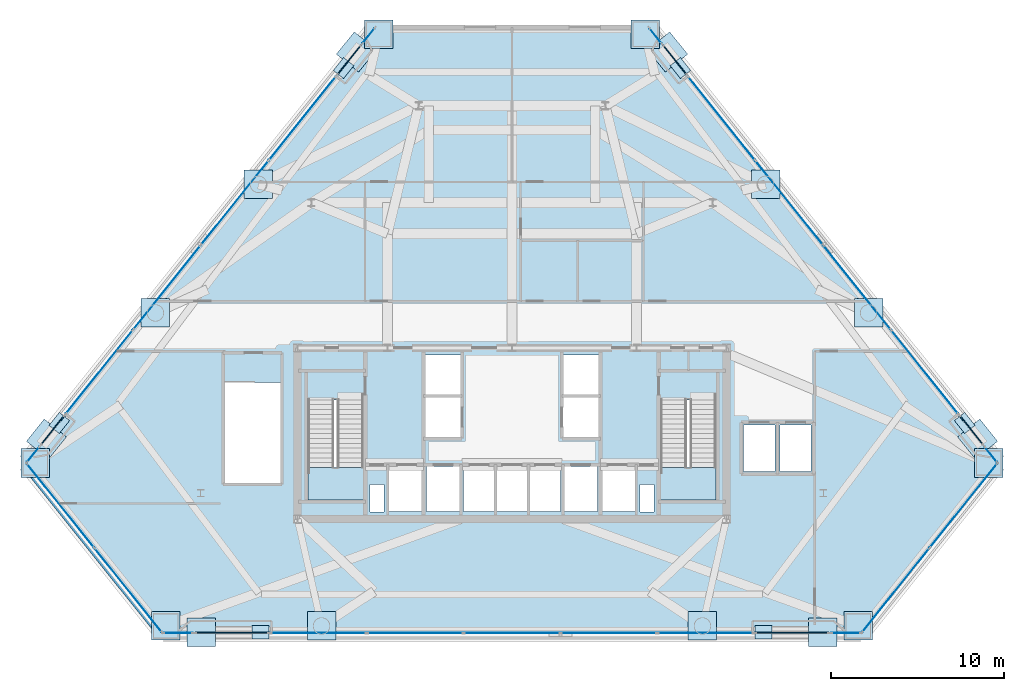
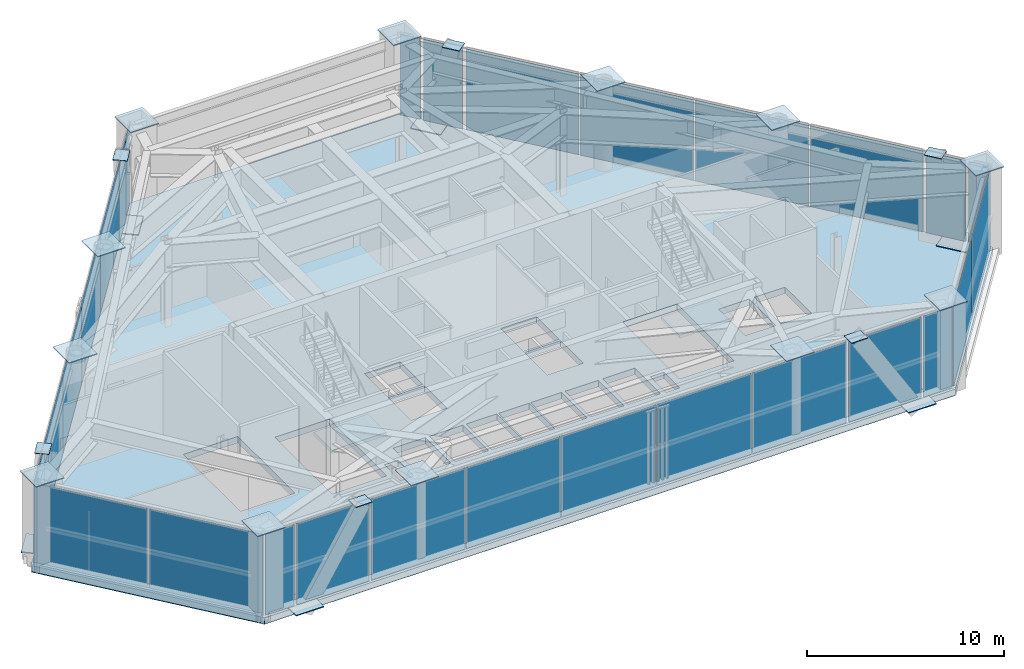
# One storey, part 7 of 13: 53 plates, 3 slabs, 1 wall, 19 elements without a shape of their own.
"""IFC4 building model written with IfcOpenShell, lengths in metres."""

import ifcopenshell
import ifcopenshell.guid

model = None  # the IFC model being written
_history = None  # IfcOwnerHistory: only IFC2X3 demands one
_inside = {}  # id of a spatial element -> (the spatial element, [elements in it])
_under = {}  # id of a project, library or spatial element -> (it, [spatial elements below it])
_declared = {}  # id of a project -> (the project, [libraries it declares])
_typed = {}  # id of a type object -> (the type object, [elements of that type])
_made_of = {}  # id of a material, layer set ... -> (it, [elements and type objects made of it])


def new_model(schema):
    """Start an empty IFC model of exactly this schema.

    Asked for "IFC4X3", IfcOpenShell would pick the latest addendum, in which some entities
    have other attributes; the version numbers below select the first issue.
    IFC2X3 requires an IfcOwnerHistory on every rooted entity: one is made here for all.
    """
    global model, _history
    if schema == "IFC4X3":
        model = ifcopenshell.file(schema_version=(4, 3, 0, 0))
    else:
        model = ifcopenshell.file(schema=schema)
    _inside.clear()
    _under.clear()
    _declared.clear()
    _typed.clear()
    _made_of.clear()
    _history = None
    if model.schema == "IFC2X3":
        org = make("IfcOrganization", Name="unknown")
        user = make(
            "IfcPersonAndOrganization",
            ThePerson=make("IfcPerson", FamilyName="unknown"),
            TheOrganization=org,
        )
        app = make(
            "IfcApplication",
            ApplicationDeveloper=org,
            Version="unknown",
            ApplicationFullName="unknown",
            ApplicationIdentifier="unknown",
        )
        _history = make(
            "IfcOwnerHistory",
            OwningUser=user,
            OwningApplication=app,
            ChangeAction="ADDED",
            CreationDate=0,
        )
    return model


def make(cls, **values):
    """One entity of the class cls with the attributes given. An attribute that is None is left unset."""
    return model.create_entity(
        cls, **{name: value for name, value in values.items() if value is not None}
    )


def rooted(cls, **values):
    """An entity with a GlobalId (a new one), such as an element, a storey or a relation."""
    return make(cls, GlobalId=ifcopenshell.guid.new(), OwnerHistory=_history, **values)


def si_unit(unit_type, name, prefix=None):
    """IfcSIUnit, for example si_unit("LENGTHUNIT", "METRE", prefix="MILLI")."""
    return make("IfcSIUnit", UnitType=unit_type, Prefix=prefix, Name=name)


def assignment(units):
    """IfcUnitAssignment: the units of a project."""
    return None if units is None else make("IfcUnitAssignment", Units=units)


def point(xyz):
    """IfcCartesianPoint."""
    return None if xyz is None else make("IfcCartesianPoint", Coordinates=xyz)


def direction(xyz):
    """IfcDirection."""
    return None if xyz is None else make("IfcDirection", DirectionRatios=xyz)


def frame(location, z_axis=None, x_axis=None):
    """IfcAxis2Placement3D, a coordinate frame: its origin and axes. An axis left out is left unset."""
    return make(
        "IfcAxis2Placement3D",
        Location=point(location),
        Axis=direction(z_axis),
        RefDirection=direction(x_axis),
    )


def frame_2d(location, x_axis=None):
    """IfcAxis2Placement2D, a coordinate frame in the plane: its origin and x axis."""
    return make(
        "IfcAxis2Placement2D", Location=point(location), RefDirection=direction(x_axis)
    )


def origin():
    """The frame at (0, 0, 0) with its axes left unset."""
    return frame((0.0, 0.0, 0.0))


def origin_2d():
    """The frame at (0, 0) in the plane with its x axis left unset."""
    return frame_2d((0.0, 0.0))


def place(relative_to, where):
    """IfcLocalPlacement: puts the frame where relative to a parent placement (None: the world)."""
    return make(
        "IfcLocalPlacement", PlacementRelTo=relative_to, RelativePlacement=where
    )


def context(
    kind, dimensions, precision=None, world=None, true_north=None, identifier=None
):
    """IfcGeometricRepresentationContext, for example the 3D "Model" context."""
    return make(
        "IfcGeometricRepresentationContext",
        ContextIdentifier=identifier,
        ContextType=kind,
        CoordinateSpaceDimension=dimensions,
        Precision=precision,
        WorldCoordinateSystem=world,
        TrueNorth=true_north,
    )


def subcontext(parent, identifier, kind, view, scale=None):
    """IfcGeometricRepresentationSubContext, for example "Body" below "Model"."""
    return make(
        "IfcGeometricRepresentationSubContext",
        ContextIdentifier=identifier,
        ContextType=kind,
        ParentContext=parent,
        TargetScale=scale,
        TargetView=view,
    )


def project(units=None, contexts=None):
    """IfcProject with its units and contexts."""
    return rooted(
        "IfcProject",
        Name="project",
        RepresentationContexts=contexts,
        UnitsInContext=assignment(units),
    )


def spatial(cls, under=None, at=None, **own):
    """A site, building, storey or space (cls), placed at a placement, below another one or the project."""
    s = rooted(cls, ObjectPlacement=at, **own)
    if under is not None:
        _under.setdefault(under.id(), (under, []))[1].append(s)
    return s


def polyline(points):
    """IfcPolyline through the points."""
    return make("IfcPolyline", Points=[point(p) for p in points])


def profile(cls, at=None, kind="AREA", **sizes):
    """A parametric profile (cls). Its sizes go by their IFC names, for example OverallWidth=200.0."""
    return make(cls, ProfileType=kind, Position=at, **sizes)


def rectangle(**sizes):
    """IfcRectangleProfileDef."""
    return profile("IfcRectangleProfileDef", **sizes)


def outline(outer, holes=None, kind="AREA"):
    """IfcArbitraryClosedProfileDef: a profile drawn as a closed curve; with holes, ...WithVoids."""
    if holes is None:
        return make("IfcArbitraryClosedProfileDef", ProfileType=kind, OuterCurve=outer)
    return make(
        "IfcArbitraryProfileDefWithVoids",
        ProfileType=kind,
        OuterCurve=outer,
        InnerCurves=holes,
    )


def extrude(swept, where, along, depth):
    """IfcExtrudedAreaSolid: the profile swept, set in the frame where, extruded along a direction by depth."""
    return make(
        "IfcExtrudedAreaSolid",
        SweptArea=swept,
        Position=where,
        ExtrudedDirection=direction(along),
        Depth=depth,
    )


def shape(context_of_items, identifier, shape_type, items):
    """IfcShapeRepresentation: the items that make up one representation, for example the "Body"."""
    return make(
        "IfcShapeRepresentation",
        ContextOfItems=context_of_items,
        RepresentationIdentifier=identifier,
        RepresentationType=shape_type,
        Items=items,
    )


def source(mapping_origin, context_of_items, identifier, shape_type, items):
    """IfcRepresentationMap: a shape defined once, which mapped items show again and again."""
    return make(
        "IfcRepresentationMap",
        MappingOrigin=mapping_origin,
        MappedRepresentation=shape(context_of_items, identifier, shape_type, items),
    )


def transform(
    local_origin,
    x_axis=None,
    y_axis=None,
    z_axis=None,
    scale=None,
    scale2=None,
    scale3=None,
    uniform=True,
):
    """IfcCartesianTransformationOperator3D, or its non-uniform kind. x_axis, y_axis, z_axis: its Axis1, 2, 3."""
    if uniform:
        return make(
            "IfcCartesianTransformationOperator3D",
            Axis1=direction(x_axis),
            Axis2=direction(y_axis),
            LocalOrigin=point(local_origin),
            Scale=scale,
            Axis3=direction(z_axis),
        )
    return make(
        "IfcCartesianTransformationOperator3DnonUniform",
        Axis1=direction(x_axis),
        Axis2=direction(y_axis),
        LocalOrigin=point(local_origin),
        Scale=scale,
        Axis3=direction(z_axis),
        Scale2=scale2,
        Scale3=scale3,
    )


def mapped(mapping_source, mapping_target):
    """IfcMappedItem: shows the shape of a source again, moved by a transform."""
    return make(
        "IfcMappedItem", MappingSource=mapping_source, MappingTarget=mapping_target
    )


def material(Name=None, Category=None):
    """IfcMaterial."""
    return make("IfcMaterial", Name=Name, Category=Category)


def layer(
    of_material, thickness, ventilated=None, Name=None, Category=None, Priority=None
):
    """IfcMaterialLayer: one layer of a wall or slab, of a material (None: an air gap)."""
    return make(
        "IfcMaterialLayer",
        Material=of_material,
        LayerThickness=thickness,
        IsVentilated=ventilated,
        Name=Name,
        Category=Category,
        Priority=Priority,
    )


def layer_set(layers, Name=None):
    """IfcMaterialLayerSet."""
    return make("IfcMaterialLayerSet", MaterialLayers=layers, LayerSetName=Name)


def made_of(thing, what):
    """Note that an element or type object is made of a material, layer set ...; save() writes the relation."""
    if what is not None:
        _made_of.setdefault(what.id(), (what, []))[1].append(thing)
    return thing


def type_object(cls, material=None, **own):
    """A type object (cls), such as IfcWallType, which elements share."""
    return made_of(rooted(cls, **own), material)


def type_shapes(of_type, sources):
    """Give a type object the sources (RepresentationMaps) that its elements show as mapped items."""
    of_type.RepresentationMaps = sources


def element(
    cls,
    number,
    at=None,
    inside=None,
    cuts=None,
    type_object=None,
    material=None,
    context=None,
    identifier="Body",
    shape_type=None,
    held_by="IfcProductDefinitionShape",
    body=None,
    shapes=None,
    **own,
):
    """One element of the class cls, such as IfcWall. Its Tag is "e" and its number.

    at: its placement. inside: the storey or other place that contains it. cuts: it is an
    opening in that element (IfcRelVoidsElement). A single representation is given by context,
    identifier, shape_type and body (its items); several are given by shapes. held_by: the class
    of the entity that holds the representations. save() writes the other relations.
    """
    e = rooted(cls, Tag="e%d" % number, ObjectPlacement=at, **own)
    if body is not None:
        shapes = [shape(context, identifier, shape_type, body)]
    if shapes is not None:
        e.Representation = make(held_by, Representations=shapes)
    if inside is not None:
        _inside.setdefault(inside.id(), (inside, []))[1].append(e)
    if cuts is not None:
        rooted(
            "IfcRelVoidsElement", RelatingBuildingElement=cuts, RelatedOpeningElement=e
        )
    if type_object is not None:
        _typed.setdefault(type_object.id(), (type_object, []))[1].append(e)
    return made_of(e, material)


def aggregate(whole, parts):
    """IfcRelAggregates: a whole, such as a stair, and the parts it consists of."""
    return rooted("IfcRelAggregates", RelatingObject=whole, RelatedObjects=parts)


def save(model, path):
    """Write the relations noted so far, then the file.

    IfcRelAggregates (storeys below a building ...), IfcRelContainedInSpatialStructure (elements
    in a storey), IfcRelDefinesByType, IfcRelAssociatesMaterial and IfcRelDeclares: one each for
    every whole, place, type object, material and project.
    """
    for whole, parts in _under.values():
        aggregate(whole, parts)
    for where, things in _inside.values():
        rooted(
            "IfcRelContainedInSpatialStructure",
            RelatedElements=things,
            RelatingStructure=where,
        )
    for kind, things in _typed.values():
        rooted("IfcRelDefinesByType", RelatedObjects=things, RelatingType=kind)
    for what, things in _made_of.values():
        rooted("IfcRelAssociatesMaterial", RelatedObjects=things, RelatingMaterial=what)
    for by, libraries in _declared.values():
        rooted("IfcRelDeclares", RelatingContext=by, RelatedDefinitions=libraries)
    model.write(path)


model = new_model("IFC4")

# Units and contexts
model_context = context("Model", 3, precision=1e-05, world=origin(), true_north=direction((0.0, 1.0)))
body_context = subcontext(model_context, "Body", "Model", "MODEL_VIEW")
ifc_project = project(units=[si_unit("LENGTHUNIT", "METRE"), si_unit("AREAUNIT", "SQUARE_METRE"), si_unit("VOLUMEUNIT", "CUBIC_METRE"), si_unit("PLANEANGLEUNIT", "RADIAN"), si_unit("MASSUNIT", "GRAM", prefix="KILO")], contexts=[model_context])

# Site, building, storey
site_placement = place(None, origin())
site = spatial("IfcSite", under=ifc_project, at=site_placement, CompositionType="ELEMENT")
building_placement = place(site_placement, origin())
building = spatial("IfcBuilding", under=site, at=building_placement, Name="Talgorran Terracotta Tower", CompositionType="ELEMENT")
storey_placement = place(building_placement, frame((0.0, 0.0, 18.89990234375)))
storey = spatial("IfcBuildingStorey", under=building, at=storey_placement, Name="L04", CompositionType="ELEMENT", Elevation=18.89990234375)

# Plates
ifc_material_1 = material(Name="Steel Grade 350 (350L0)", Category="steel")
ifc_layer_1 = layer(ifc_material_1, 0.0400390625, Name="PL_CAP_MN05")
ifc_layer_set_1 = layer_set([ifc_layer_1], Name="Steel Grade 350 (350L0)")
plate_type_1 = type_object("IfcPlateType", Name="PL_CAP_MN05", PredefinedType="USERDEFINED", material=ifc_layer_set_1)
for number, where, z_axis, x_axis, name in (
    (1, (-14.54052734375, -20.639892578125, 5.1201171875), (0.0, 0.0, 1.0), (1.0, 0.0, 0.0), "L04 Diagonal Frame End Cap SWF Top"),
    (2, (14.54052734375, -20.639892578125, 5.1201171875), (0.0, 0.0, 1.0), (-1.0, 0.0, 0.0), "L04 Diagonal Frame End Cap SEF Top"),
    (3, (26.177734375, -8.5419921875, 5.1201171875), (0.0, 0.0, 1.0), (-0.625106436011, 0.780539520881, 0.0), "L04 Diagonal Frame End Cap NEL Top"),
    (4, (9.740478515625, 11.98193359375, 5.1201171875), (0.0, 0.0, 1.0), (0.625106436011, -0.780539520881, 0.0), "L04 Diagonal Frame End Cap NEU Top"),
    (5, (-9.740478515625, 11.98193359375, 5.1201171875), (0.0, 0.0, 1.0), (-0.625106436011, -0.780539520881, 0.0), "L04 Diagonal Frame End Cap NWU Top"),
    (6, (-26.177734375, -8.5419921875, 5.1201171875), (0.0, 0.0, 1.0), (0.625106436011, 0.780539520881, 0.0), "L04 Diagonal Frame End Cap NWL Top"),
):
    element("IfcPlate", number, at=place(storey_placement, frame(where, z_axis=z_axis, x_axis=x_axis)), inside=storey, type_object=plate_type_1, Name=name, ObjectType="CAP PLATE", PredefinedType="USERDEFINED", context=body_context, shape_type="SweptSolid", body=[
        extrude(rectangle(XDim=0.9599609375, YDim=0.760009765625, at=origin_2d()), origin(), (0.0, 0.0, 1.0), 0.0400390625),
    ])
ifc_layer_2 = layer(ifc_material_1, 0.06005859375, Name="PL_NODE_MN01")
ifc_layer_set_2 = layer_set([ifc_layer_2], Name="Steel Grade 350 (350L0)")
plate_type_2 = type_object("IfcPlateType", Name="PL_NODE_MN01", PredefinedType="USERDEFINED", material=ifc_layer_set_2)
for number, where, z_axis, x_axis, name in (
    (7, (-27.56982421875, -10.85595703125, 5.385009765625), (0.0, 0.0, 1.0), (1.0, 0.0, 0.0), "L04 Mega-Column Cap Plate MC1"),
    (8, (-20.022216796875, -20.280029296875, 5.385009765625), (0.0, 0.0, 1.0), (1.0, 0.0, 0.0), "L04 Mega-Column Cap Plate MC2"),
    (9, (20.022216796875, -20.280029296875, 5.385009765625), (0.0, 0.0, 1.0), (1.0, 0.0, 0.0), "L04 Mega-Column Cap Plate MC3"),
    (10, (27.56982421875, -10.85595703125, 5.385009765625), (0.0, 0.0, 1.0), (1.0, 0.0, 0.0), "L04 Mega-Column Cap Plate MC4"),
    (11, (7.714111328125, 13.93603515625, 5.385009765625), (0.0, 0.0, 1.0), (1.0, 0.0, 0.0), "L04 Mega-Column Cap Plate MC5"),
    (12, (-7.714111328125, 13.93603515625, 5.385009765625), (0.0, 0.0, 1.0), (1.0, 0.0, 0.0), "L04 Mega-Column Cap Plate MC6"),
    (13, (-11.01220703125, -20.280029296875, 5.385009765625), (0.0, 0.0, 1.0), (1.0, 0.0, 0.0), "L04 Facet Column Cap Plate FC1"),
    (14, (11.01220703125, -20.280029296875, 5.385009765625), (0.0, 0.0, 1.0), (1.0, 0.0, 0.0), "L04 Facet Column Cap Plate FC2"),
    (15, (20.620361328125, -2.1787109375, 5.385009765625), (0.0, 0.0, 1.0), (1.0, 0.0, 0.0), "L04 Facet Column Cap Plate FC3"),
    (16, (14.663818359375, 5.2587890625, 5.385009765625), (0.0, 0.0, 1.0), (1.0, 0.0, 0.0), "L04 Facet Column Cap Plate FC4"),
    (17, (-14.663818359375, 5.2587890625, 5.385009765625), (0.0, 0.0, 1.0), (1.0, 0.0, 0.0), "L04 Facet Column Cap Plate FC5"),
    (18, (-20.620361328125, -2.1787109375, 5.385009765625), (0.0, 0.0, 1.0), (1.0, 0.0, 0.0), "L04 Facet Column Cap Plate FC6"),
    (19, (-17.9736328125, -20.639892578125, -0.02001953125), (0.0, 0.0, 1.0), (1.0, 0.0, 0.0), "L04 Diagonal Frame End Cap SWF Bot"),
    (20, (17.9736328125, -20.639892578125, -0.02001953125), (0.0, 0.0, 1.0), (-1.0, 0.0, 0.0), "L04 Diagonal Frame End Cap SEF Bot"),
    (21, (26.923095703125, -9.47265625, -0.02001953125), (0.0, 0.0, 1.0), (-0.625106436011, 0.780539520881, 0.0), "L04 Diagonal Frame End Cap NEL Bot"),
    (22, (8.9951171875, 12.91259765625, -0.02001953125), (0.0, 0.0, 1.0), (0.625106436011, -0.780539520881, 0.0), "L04 Diagonal Frame End Cap NEU Bot"),
    (23, (-8.9951171875, 12.91259765625, -0.02001953125), (0.0, 0.0, 1.0), (-0.625106436011, -0.780539520881, 0.0), "L04 Diagonal Frame End Cap NWU Bot"),
    (24, (-26.923095703125, -9.47265625, -0.02001953125), (0.0, 0.0, 1.0), (0.625106436011, 0.780539520881, 0.0), "L04 Diagonal Frame End Cap NWL Bot"),
):
    element("IfcPlate", number, at=place(storey_placement, frame(where, z_axis=z_axis, x_axis=x_axis)), inside=storey, type_object=plate_type_2, Name=name, ObjectType="NODE PLATE", PredefinedType="USERDEFINED", context=body_context, shape_type="SweptSolid", body=[
        extrude(rectangle(XDim=1.64990234375, YDim=1.64990234375, at=origin_2d()), origin(), (0.0, 0.0, 1.0), 0.06005859375),
    ])

# Stair, slab
ifc_material_2 = material(Name="Concrete C40/50", Category="concrete")
stair_type = type_object("IfcStairType", Name="ST_FIRE_SCISSOR", PredefinedType="HALF_TURN_STAIR", material=ifc_material_2)
stair_1_placement = place(storey_placement, origin())
stair_1 = element("IfcStair", 25, at=stair_1_placement, inside=storey, type_object=stair_type, Name="L04 West Protected Fire Stair ST-01", PredefinedType="HALF_TURN_STAIR")
ifc_layer_3 = layer(ifc_material_2, 0.199951171875, Name="SL_LANDING_200")
ifc_layer_set_3 = layer_set([ifc_layer_3], Name="Concrete C40/50")
slab_type_1 = type_object("IfcSlabType", Name="SL_LANDING_200", PredefinedType="LANDING", material=ifc_layer_set_3)
slab_1_placement = place(storey_placement, frame((0.0, 0.0, 2.5)))
slab_1 = element("IfcSlab", 26, at=slab_1_placement, type_object=slab_type_1, Name="ST-01 landing 1", PredefinedType="LANDING", context=body_context, shape_type="SweptSolid", body=[
    extrude(outline(polyline([(-11.800048828125, -11.1201171875), (-11.800048828125, -13.0), (-8.60009765625, -13.0), (-8.60009765625, -11.1201171875), (-11.800048828125, -11.1201171875)])), origin(), (0.0, 0.0, 1.0), 0.2001953125),
])
aggregate(stair_1, [slab_1])

stair_2_placement = place(storey_placement, origin())
stair_2 = element("IfcStair", 27, at=stair_2_placement, inside=storey, type_object=stair_type, Name="L04 East Protected Fire Stair ST-02", PredefinedType="HALF_TURN_STAIR")
slab_2_placement = place(storey_placement, frame((0.0, 0.0, 2.5)))
slab_2 = element("IfcSlab", 28, at=slab_2_placement, type_object=slab_type_1, Name="ST-02 landing 1", PredefinedType="LANDING", context=body_context, shape_type="SweptSolid", body=[
    extrude(outline(polyline([(8.60009765625, -11.1201171875), (8.60009765625, -13.0), (11.800048828125, -13.0), (11.800048828125, -11.1201171875), (8.60009765625, -11.1201171875)])), origin(), (0.0, 0.0, 1.0), 0.2001953125),
])
aggregate(stair_2, [slab_2])

# Slab
ifc_material_3 = material(Name="Concrete C50/60", Category="concrete")
ifc_layer_4 = layer(ifc_material_3, 0.39990234375, Name="SL_TRANS_400")
ifc_layer_set_4 = layer_set([ifc_layer_4], Name="Concrete C50/60")
slab_type_2 = type_object("IfcSlabType", Name="SL_TRANS_400", PredefinedType="FLOOR", material=ifc_layer_set_4)
slab_3_placement = place(storey_placement, frame((0.0, 0.0, -0.39990234375)))
element("IfcSlab", 29, at=slab_3_placement, inside=storey, type_object=slab_type_2, Name="Storey L04 Structural Floor Slab", PredefinedType="FLOOR", context=body_context, shape_type="SweptSolid", body=[
    extrude(outline(polyline([(-28.236083984375, -10.85595703125), (-20.27197265625, -20.800048828125), (20.27197265625, -20.800048828125), (28.236083984375, -10.85595703125), (7.964111328125, 14.4560546875), (-7.964111328125, 14.4560546875), (-28.236083984375, -10.85595703125)]), holes=[polyline([(-11.800048828125, -7.199951171875), (-11.800048828125, -13.0), (-8.60009765625, -13.0), (-8.60009765625, -7.199951171875), (-11.800048828125, -7.199951171875)]), polyline([(8.60009765625, -7.199951171875), (8.60009765625, -13.0), (11.800048828125, -13.0), (11.800048828125, -7.199951171875), (8.60009765625, -7.199951171875)]), polyline([(-16.60009765625, -6.199951171875), (-16.60009765625, -12.0), (-13.39990234375, -12.0), (-13.39990234375, -6.199951171875), (-16.60009765625, -6.199951171875)]), polyline([(-7.10009765625, -13.64990234375), (-5.199951171875, -13.64990234375), (-5.199951171875, -11.050048828125), (-7.10009765625, -11.050048828125), (-7.10009765625, -13.64990234375)]), polyline([(5.199951171875, -13.64990234375), (7.10009765625, -13.64990234375), (7.10009765625, -11.050048828125), (5.199951171875, -11.050048828125), (5.199951171875, -13.64990234375)]), polyline([(3.0, -13.64990234375), (4.949951171875, -13.64990234375), (4.949951171875, -11.050048828125), (3.0, -11.050048828125), (3.0, -13.64990234375)]), polyline([(-4.949951171875, -13.64990234375), (-3.0, -13.64990234375), (-3.0, -11.050048828125), (-4.949951171875, -11.050048828125), (-4.949951171875, -13.64990234375)]), polyline([(-5.050048828125, -9.35009765625), (-2.949951171875, -9.35009765625), (-2.949951171875, -7.050048828125), (-5.050048828125, -7.050048828125), (-5.050048828125, -9.35009765625)]), polyline([(-5.050048828125, -6.89990234375), (-2.949951171875, -6.89990234375), (-2.949951171875, -4.60009765625), (-5.050048828125, -4.60009765625), (-5.050048828125, -6.89990234375)]), polyline([(2.949951171875, -9.35009765625), (5.050048828125, -9.35009765625), (5.050048828125, -7.050048828125), (2.949951171875, -7.050048828125), (2.949951171875, -9.35009765625)]), polyline([(2.949951171875, -6.89990234375), (5.050048828125, -6.89990234375), (5.050048828125, -4.60009765625), (2.949951171875, -4.60009765625), (2.949951171875, -6.89990234375)]), polyline([(-2.800048828125, -13.64990234375), (-1.0, -13.64990234375), (-1.0, -11.050048828125), (-2.800048828125, -11.050048828125), (-2.800048828125, -13.64990234375)]), polyline([(-0.89990234375, -13.64990234375), (0.89990234375, -13.64990234375), (0.89990234375, -11.050048828125), (-0.89990234375, -11.050048828125), (-0.89990234375, -13.64990234375)]), polyline([(1.0, -13.64990234375), (2.800048828125, -13.64990234375), (2.800048828125, -11.050048828125), (1.0, -11.050048828125), (1.0, -13.64990234375)]), polyline([(13.39990234375, -11.35009765625), (15.199951171875, -11.35009765625), (15.199951171875, -8.64990234375), (13.39990234375, -8.64990234375), (13.39990234375, -11.35009765625)]), polyline([(15.5, -11.35009765625), (17.300048828125, -11.35009765625), (17.300048828125, -8.64990234375), (15.5, -8.64990234375), (15.5, -11.35009765625)]), polyline([(-8.199951171875, -13.699951171875), (-7.39990234375, -13.699951171875), (-7.39990234375, -12.10009765625), (-8.199951171875, -12.10009765625), (-8.199951171875, -13.699951171875)]), polyline([(7.39990234375, -13.699951171875), (8.199951171875, -13.699951171875), (8.199951171875, -12.10009765625), (7.39990234375, -12.10009765625), (7.39990234375, -13.699951171875)])]), origin(), (0.0, 0.0, 1.0), 0.39990234375),
])

# Curtain wall, plates
ifc_material_4 = material(Name="Terracotta and Low-E Glazing", Category="masonry")
ifc_layer_5 = layer(ifc_material_4, 0.219970703125, Name="CW_SYS1_PODIUM")
ifc_layer_set_5 = layer_set([ifc_layer_5], Name="Terracotta and Low-E Glazing")
curtain_wall_type = type_object("IfcCurtainWallType", Name="CW_SYS1_PODIUM", PredefinedType="NOTDEFINED", material=ifc_layer_set_5)
curtain_wall_1_placement = place(storey_placement, origin())
curtain_wall_1 = element("IfcCurtainWall", 30, at=curtain_wall_1_placement, inside=storey, type_object=curtain_wall_type, Name="CW-L04-F0", PredefinedType="NOTDEFINED")
ifc_material_5 = material(Name="Low-E Laminated Vision Glass", Category="glass")
ifc_layer_6 = layer(ifc_material_5, 0.028076171875, Name="PLT_VISION_28")
ifc_layer_set_6 = layer_set([ifc_layer_6], Name="Low-E Laminated Vision Glass")
plate_type_3 = type_object("IfcPlateType", Name="PLT_VISION_28", PredefinedType="CURTAIN_PANEL", material=ifc_layer_set_6)
shared_shape_1 = source(origin(), body_context, "Body", "SweptSolid", [
    extrude(rectangle(XDim=6.1806640625, YDim=0.028076171875, at=origin_2d()), origin(), (0.0, 0.0, 1.0), 5.0),
])
plate_1_placement = place(storey_placement, frame((-26.103515625, -13.32666015625, 0.0751953125), z_axis=(0.0, 0.0, 1.0), x_axis=(0.625116437056, -0.780531511293, 0.0)))
plate_1 = element("IfcPlate", 31, at=plate_1_placement, type_object=plate_type_3, Name="CW-L04-0 panel 1.1", PredefinedType="CURTAIN_PANEL", context=body_context, shape_type="MappedRepresentation", body=[
    mapped(shared_shape_1, transform((0.0, 0.0, 0.0), scale=1.0)),
])
plate_2_placement = place(storey_placement, frame((-22.193115234375, -18.20947265625, 0.0751953125), z_axis=(0.0, 0.0, 1.0), x_axis=(0.625116437056, -0.780531511293, 0.0)))
plate_2 = element("IfcPlate", 32, at=plate_2_placement, type_object=plate_type_3, Name="CW-L04-0 panel 2.1", PredefinedType="CURTAIN_PANEL", context=body_context, shape_type="MappedRepresentation", body=[
    mapped(shared_shape_1, transform((0.0, 0.0, 0.0), scale=1.0)),
])
aggregate(curtain_wall_1, [plate_1, plate_2])

curtain_wall_2_placement = place(storey_placement, origin())
curtain_wall_2 = element("IfcCurtainWall", 33, at=curtain_wall_2_placement, inside=storey, type_object=curtain_wall_type, Name="CW-L04-F2", PredefinedType="NOTDEFINED")
plate_3_placement = place(storey_placement, frame((22.193115234375, -18.20947265625, 0.0751953125), z_axis=(0.0, 0.0, 1.0), x_axis=(0.625116437056, 0.780531511293, 0.0)))
plate_3 = element("IfcPlate", 34, at=plate_3_placement, type_object=plate_type_3, Name="CW-L04-2 panel 1.1", PredefinedType="CURTAIN_PANEL", context=body_context, shape_type="MappedRepresentation", body=[
    mapped(shared_shape_1, transform((0.0, 0.0, 0.0), scale=1.0)),
])
plate_4_placement = place(storey_placement, frame((26.103515625, -13.32666015625, 0.0751953125), z_axis=(0.0, 0.0, 1.0), x_axis=(0.625116437056, 0.780531511293, 0.0)))
plate_4 = element("IfcPlate", 35, at=plate_4_placement, type_object=plate_type_3, Name="CW-L04-2 panel 2.1", PredefinedType="CURTAIN_PANEL", context=body_context, shape_type="MappedRepresentation", body=[
    mapped(shared_shape_1, transform((0.0, 0.0, 0.0), scale=1.0)),
])
aggregate(curtain_wall_2, [plate_3, plate_4])

# Curtain wall, plate
curtain_wall_3_placement = place(storey_placement, origin())
curtain_wall_3 = element("IfcCurtainWall", 36, at=curtain_wall_3_placement, inside=storey, type_object=curtain_wall_type, Name="CW-L04-F1", PredefinedType="NOTDEFINED")
shared_shape_2 = source(origin(), body_context, "Body", "SweptSolid", [
    extrude(rectangle(XDim=1.66552734375, YDim=0.028076171875, at=origin_2d()), origin(), (0.0, 0.0, 1.0), 5.0),
])
plate_5_placement = place(storey_placement, frame((-19.306640625, -20.679931640625, 0.0751953125), z_axis=(0.0, 0.0, 1.0), x_axis=(1.0, 0.0, 0.0)))
plate_5 = element("IfcPlate", 37, at=plate_5_placement, type_object=plate_type_3, Name="CW-L04-1 panel 1.1", PredefinedType="CURTAIN_PANEL", context=body_context, shape_type="MappedRepresentation", body=[
    mapped(shared_shape_2, transform((0.0, 0.0, 0.0), scale=1.0)),
])
aggregate(curtain_wall_3, [plate_5])

curtain_wall_4_placement = place(storey_placement, origin())
curtain_wall_4 = element("IfcCurtainWall", 38, at=curtain_wall_4_placement, inside=storey, type_object=curtain_wall_type, Name="CW-L04-F1E", PredefinedType="NOTDEFINED")
plate_6_placement = place(storey_placement, frame((19.306640625, -20.679931640625, 0.0751953125), z_axis=(0.0, 0.0, 1.0), x_axis=(1.0, 0.0, 0.0)))
plate_6 = element("IfcPlate", 39, at=plate_6_placement, type_object=plate_type_3, Name="CW-L04-1E panel 1.1", PredefinedType="CURTAIN_PANEL", context=body_context, shape_type="MappedRepresentation", body=[
    mapped(shared_shape_2, transform((0.0, 0.0, 0.0), scale=1.0)),
])
aggregate(curtain_wall_4, [plate_6])

curtain_wall_5_placement = place(storey_placement, origin())
curtain_wall_5 = element("IfcCurtainWall", 40, at=curtain_wall_5_placement, inside=storey, type_object=curtain_wall_type, Name="CW-L04-F1B", PredefinedType="NOTDEFINED")
ifc_material_6 = material(Name="Terracotta Insulated Spandrel", Category="masonry")
ifc_layer_7 = layer(ifc_material_6, 0.06494140625, Name="PLT_SPANDREL_TERRA")
ifc_layer_set_7 = layer_set([ifc_layer_7], Name="Terracotta Insulated Spandrel")
plate_type_4 = type_object("IfcPlateType", Name="PLT_SPANDREL_TERRA", PredefinedType="SHEET", material=ifc_layer_set_7)
shared_shape_3 = source(origin(), body_context, "Body", "SweptSolid", [
    extrude(rectangle(XDim=4.226806640625, YDim=0.06494140625, at=origin_2d()), origin(), (0.0, 0.0, 1.0), 5.0),
])
plate_7_placement = place(storey_placement, frame((-16.200439453125, -20.679931640625, 0.0751953125), z_axis=(0.0, 0.0, 1.0), x_axis=(1.0, 0.0, 0.0)))
plate_7 = element("IfcPlate", 41, at=plate_7_placement, type_object=plate_type_4, Name="CW-L04-1B panel 1.1", PredefinedType="CURTAIN_PANEL", context=body_context, shape_type="MappedRepresentation", body=[
    mapped(shared_shape_3, transform((0.0, 0.0, 0.0), scale=1.0)),
])
aggregate(curtain_wall_5, [plate_7])

curtain_wall_6_placement = place(storey_placement, origin())
curtain_wall_6 = element("IfcCurtainWall", 42, at=curtain_wall_6_placement, inside=storey, type_object=curtain_wall_type, Name="CW-L04-F1D", PredefinedType="NOTDEFINED")
plate_8_placement = place(storey_placement, frame((16.200439453125, -20.679931640625, 0.0751953125), z_axis=(0.0, 0.0, 1.0), x_axis=(1.0, 0.0, 0.0)))
plate_8 = element("IfcPlate", 43, at=plate_8_placement, type_object=plate_type_4, Name="CW-L04-1D panel 1.1", PredefinedType="CURTAIN_PANEL", context=body_context, shape_type="MappedRepresentation", body=[
    mapped(shared_shape_3, transform((0.0, 0.0, 0.0), scale=1.0)),
])
aggregate(curtain_wall_6, [plate_8])

# Curtain wall, plates
curtain_wall_7_placement = place(storey_placement, origin())
curtain_wall_7 = element("IfcCurtainWall", 44, at=curtain_wall_7_placement, inside=storey, type_object=curtain_wall_type, Name="CW-L04-F1C", PredefinedType="NOTDEFINED")
shared_shape_4 = source(origin(), body_context, "Body", "SweptSolid", [
    extrude(rectangle(XDim=5.48828125, YDim=0.028076171875, at=origin_2d()), origin(), (0.0, 0.0, 1.0), 5.0),
])
plate_9_placement = place(storey_placement, frame((-11.182861328125, -20.679931640625, 0.0751953125), z_axis=(0.0, 0.0, 1.0), x_axis=(1.0, 0.0, 0.0)))
plate_9 = element("IfcPlate", 45, at=plate_9_placement, type_object=plate_type_3, Name="CW-L04-1C panel 1.1", PredefinedType="CURTAIN_PANEL", context=body_context, shape_type="MappedRepresentation", body=[
    mapped(shared_shape_4, transform((0.0, 0.0, 0.0), scale=1.0)),
])
plate_10_placement = place(storey_placement, frame((11.182861328125, -20.679931640625, 0.0751953125), z_axis=(0.0, 0.0, 1.0), x_axis=(1.0, 0.0, 0.0)))
plate_10 = element("IfcPlate", 46, at=plate_10_placement, type_object=plate_type_3, Name="CW-L04-1C panel 5.1", PredefinedType="CURTAIN_PANEL", context=body_context, shape_type="MappedRepresentation", body=[
    mapped(shared_shape_4, transform((0.0, 0.0, 0.0), scale=1.0)),
])
shared_shape_5 = source(origin(), body_context, "Body", "SweptSolid", [
    extrude(rectangle(XDim=5.52587890625, YDim=0.028076171875, at=origin_2d()), origin(), (0.0, 0.0, 1.0), 5.0),
])
plate_11_placement = place(storey_placement, frame((-5.600830078125, -20.679931640625, 0.0751953125), z_axis=(0.0, 0.0, 1.0), x_axis=(1.0, 0.0, 0.0)))
plate_11 = element("IfcPlate", 47, at=plate_11_placement, type_object=plate_type_3, Name="CW-L04-1C panel 2.1", PredefinedType="CURTAIN_PANEL", context=body_context, shape_type="MappedRepresentation", body=[
    mapped(shared_shape_5, transform((0.0, 0.0, 0.0), scale=1.0)),
])
plate_12_placement = place(storey_placement, frame((0.0, -20.679931640625, 0.0751953125), z_axis=(0.0, 0.0, 1.0), x_axis=(1.0, 0.0, 0.0)))
plate_12 = element("IfcPlate", 48, at=plate_12_placement, type_object=plate_type_3, Name="CW-L04-1C panel 3.1", PredefinedType="CURTAIN_PANEL", context=body_context, shape_type="MappedRepresentation", body=[
    mapped(shared_shape_5, transform((0.0, 0.0, 0.0), scale=1.0)),
])
plate_13_placement = place(storey_placement, frame((5.600830078125, -20.679931640625, 0.0751953125), z_axis=(0.0, 0.0, 1.0), x_axis=(1.0, 0.0, 0.0)))
plate_13 = element("IfcPlate", 49, at=plate_13_placement, type_object=plate_type_3, Name="CW-L04-1C panel 4.1", PredefinedType="CURTAIN_PANEL", context=body_context, shape_type="MappedRepresentation", body=[
    mapped(shared_shape_5, transform((0.0, 0.0, 0.0), scale=1.0)),
])
aggregate(curtain_wall_7, [plate_9, plate_11, plate_12, plate_13, plate_10])

# Curtain wall, plate
curtain_wall_8_placement = place(storey_placement, origin())
curtain_wall_8 = element("IfcCurtainWall", 50, at=curtain_wall_8_placement, inside=storey, type_object=curtain_wall_type, Name="CW-L04-F3", PredefinedType="NOTDEFINED")
shared_shape_6 = source(origin(), body_context, "Body", "SweptSolid", [
    extrude(rectangle(XDim=1.12890625, YDim=0.028076171875, at=origin_2d()), origin(), (0.0, 0.0, 1.0), 5.0),
])
plate_14_placement = place(storey_placement, frame((27.6826171875, -10.35693359375, 0.0751953125), z_axis=(0.0, 0.0, 1.0), x_axis=(-0.625095479338, 0.780548295566, 0.0)))
plate_14 = element("IfcPlate", 51, at=plate_14_placement, type_object=plate_type_3, Name="CW-L04-3 panel 1.1", PredefinedType="CURTAIN_PANEL", context=body_context, shape_type="MappedRepresentation", body=[
    mapped(shared_shape_6, transform((0.0, 0.0, 0.0), scale=1.0)),
])
aggregate(curtain_wall_8, [plate_14])

curtain_wall_9_placement = place(storey_placement, origin())
curtain_wall_9 = element("IfcCurtainWall", 52, at=curtain_wall_9_placement, inside=storey, type_object=curtain_wall_type, Name="CW-L04-F5E", PredefinedType="NOTDEFINED")
plate_15_placement = place(storey_placement, frame((-27.6826171875, -10.35693359375, 0.0751953125), z_axis=(0.0, 0.0, 1.0), x_axis=(-0.625095479338, -0.780548295566, 0.0)))
plate_15 = element("IfcPlate", 53, at=plate_15_placement, type_object=plate_type_3, Name="CW-L04-5E panel 1.1", PredefinedType="CURTAIN_PANEL", context=body_context, shape_type="MappedRepresentation", body=[
    mapped(shared_shape_6, transform((0.0, 0.0, 0.0), scale=1.0)),
])
aggregate(curtain_wall_9, [plate_15])

curtain_wall_10_placement = place(storey_placement, origin())
curtain_wall_10 = element("IfcCurtainWall", 54, at=curtain_wall_10_placement, inside=storey, type_object=curtain_wall_type, Name="CW-L04-F3B", PredefinedType="NOTDEFINED")
shared_shape_7 = source(origin(), body_context, "Body", "SweptSolid", [
    extrude(rectangle(XDim=2.142822265625, YDim=0.06494140625, at=origin_2d()), origin(), (0.0, 0.0, 1.0), 5.0),
])
plate_16_placement = place(storey_placement, frame((26.56005859375, -8.955078125, 0.0751953125), z_axis=(0.0, 0.0, 1.0), x_axis=(-0.625104497936, 0.780541073013, 0.0)))
plate_16 = element("IfcPlate", 55, at=plate_16_placement, type_object=plate_type_4, Name="CW-L04-3B panel 1.1", PredefinedType="CURTAIN_PANEL", context=body_context, shape_type="MappedRepresentation", body=[
    mapped(shared_shape_7, transform((0.0, 0.0, 0.0), scale=1.0)),
])
aggregate(curtain_wall_10, [plate_16])

curtain_wall_11_placement = place(storey_placement, origin())
curtain_wall_11 = element("IfcCurtainWall", 56, at=curtain_wall_11_placement, inside=storey, type_object=curtain_wall_type, Name="CW-L04-F5D", PredefinedType="NOTDEFINED")
plate_17_placement = place(storey_placement, frame((-26.56005859375, -8.955078125, 0.0751953125), z_axis=(0.0, 0.0, 1.0), x_axis=(-0.625104497936, -0.780541073013, 0.0)))
plate_17 = element("IfcPlate", 57, at=plate_17_placement, type_object=plate_type_4, Name="CW-L04-5D panel 1.1", PredefinedType="CURTAIN_PANEL", context=body_context, shape_type="MappedRepresentation", body=[
    mapped(shared_shape_7, transform((0.0, 0.0, 0.0), scale=1.0)),
])
aggregate(curtain_wall_11, [plate_17])

# Curtain wall, plates
curtain_wall_12_placement = place(storey_placement, origin())
curtain_wall_12 = element("IfcCurtainWall", 58, at=curtain_wall_12_placement, inside=storey, type_object=curtain_wall_type, Name="CW-L04-F3C", PredefinedType="NOTDEFINED")
shared_shape_8 = source(origin(), body_context, "Body", "SweptSolid", [
    extrude(rectangle(XDim=6.16357421875, YDim=0.028076171875, at=origin_2d()), origin(), (0.0, 0.0, 1.0), 5.0),
])
plate_18_placement = place(storey_placement, frame((23.863525390625, -5.58837890625, 0.0751953125), z_axis=(0.0, 0.0, 1.0), x_axis=(-0.625115149329, 0.780532542614, 0.0)))
plate_18 = element("IfcPlate", 59, at=plate_18_placement, type_object=plate_type_3, Name="CW-L04-3C panel 1.1", PredefinedType="CURTAIN_PANEL", context=body_context, shape_type="MappedRepresentation", body=[
    mapped(shared_shape_8, transform((0.0, 0.0, 0.0), scale=1.0)),
])
plate_19_placement = place(storey_placement, frame((12.1171875, 9.078369140625, 0.0751953125), z_axis=(0.0, 0.0, 1.0), x_axis=(-0.625115149329, 0.780532542614, 0.0)))
plate_19 = element("IfcPlate", 60, at=plate_19_placement, type_object=plate_type_3, Name="CW-L04-3C panel 4.1", PredefinedType="CURTAIN_PANEL", context=body_context, shape_type="MappedRepresentation", body=[
    mapped(shared_shape_8, transform((0.0, 0.0, 0.0), scale=1.0)),
])

curtain_wall_13_placement = place(storey_placement, origin())
curtain_wall_13 = element("IfcCurtainWall", 61, at=curtain_wall_13_placement, inside=storey, type_object=curtain_wall_type, Name="CW-L04-F5C", PredefinedType="NOTDEFINED")
plate_20_placement = place(storey_placement, frame((-12.1171875, 9.078369140625, 0.0751953125), z_axis=(0.0, 0.0, 1.0), x_axis=(-0.625115149329, -0.780532542614, 0.0)))
plate_20 = element("IfcPlate", 62, at=plate_20_placement, type_object=plate_type_3, Name="CW-L04-5C panel 1.1", PredefinedType="CURTAIN_PANEL", context=body_context, shape_type="MappedRepresentation", body=[
    mapped(shared_shape_8, transform((0.0, 0.0, 0.0), scale=1.0)),
])
plate_21_placement = place(storey_placement, frame((-23.863525390625, -5.58837890625, 0.0751953125), z_axis=(0.0, 0.0, 1.0), x_axis=(-0.625115149329, -0.780532542614, 0.0)))
plate_21 = element("IfcPlate", 63, at=plate_21_placement, type_object=plate_type_3, Name="CW-L04-5C panel 4.1", PredefinedType="CURTAIN_PANEL", context=body_context, shape_type="MappedRepresentation", body=[
    mapped(shared_shape_8, transform((0.0, 0.0, 0.0), scale=1.0)),
])

# Plate
shared_shape_9 = source(origin(), body_context, "Body", "SweptSolid", [
    extrude(rectangle(XDim=6.201171875, YDim=0.028076171875, at=origin_2d()), origin(), (0.0, 0.0, 1.0), 5.0),
])
plate_22_placement = place(storey_placement, frame((19.951904296875, -0.704345703125, 0.0751953125), z_axis=(0.0, 0.0, 1.0), x_axis=(-0.625115149329, 0.780532542614, 0.0)))
plate_22 = element("IfcPlate", 64, at=plate_22_placement, type_object=plate_type_3, Name="CW-L04-3C panel 2.1", PredefinedType="CURTAIN_PANEL", context=body_context, shape_type="MappedRepresentation", body=[
    mapped(shared_shape_9, transform((0.0, 0.0, 0.0), scale=1.0)),
])

plate_23_placement = place(storey_placement, frame((16.02880859375, 4.1943359375, 0.0751953125), z_axis=(0.0, 0.0, 1.0), x_axis=(-0.625115149329, 0.780532542614, 0.0)))
plate_23 = element("IfcPlate", 65, at=plate_23_placement, type_object=plate_type_3, Name="CW-L04-3C panel 3.1", PredefinedType="CURTAIN_PANEL", context=body_context, shape_type="MappedRepresentation", body=[
    mapped(shared_shape_9, transform((0.0, 0.0, 0.0), scale=1.0)),
])

aggregate(curtain_wall_12, [plate_18, plate_22, plate_23, plate_19])

plate_24_placement = place(storey_placement, frame((-16.02880859375, 4.1943359375, 0.0751953125), z_axis=(0.0, 0.0, 1.0), x_axis=(-0.625115149329, -0.780532542614, 0.0)))
plate_24 = element("IfcPlate", 66, at=plate_24_placement, type_object=plate_type_3, Name="CW-L04-5C panel 2.1", PredefinedType="CURTAIN_PANEL", context=body_context, shape_type="MappedRepresentation", body=[
    mapped(shared_shape_9, transform((0.0, 0.0, 0.0), scale=1.0)),
])

plate_25_placement = place(storey_placement, frame((-19.951904296875, -0.704345703125, 0.0751953125), z_axis=(0.0, 0.0, 1.0), x_axis=(-0.625115149329, -0.780532542614, 0.0)))
plate_25 = element("IfcPlate", 67, at=plate_25_placement, type_object=plate_type_3, Name="CW-L04-5C panel 3.1", PredefinedType="CURTAIN_PANEL", context=body_context, shape_type="MappedRepresentation", body=[
    mapped(shared_shape_9, transform((0.0, 0.0, 0.0), scale=1.0)),
])

aggregate(curtain_wall_13, [plate_20, plate_24, plate_25, plate_21])

# Curtain wall, plate
curtain_wall_14_placement = place(storey_placement, origin())
curtain_wall_14 = element("IfcCurtainWall", 68, at=curtain_wall_14_placement, inside=storey, type_object=curtain_wall_type, Name="CW-L04-F3D", PredefinedType="NOTDEFINED")
shared_shape_10 = source(origin(), body_context, "Body", "SweptSolid", [
    extrude(rectangle(XDim=2.14306640625, YDim=0.06494140625, at=origin_2d()), origin(), (0.0, 0.0, 1.0), 5.0),
])
type_shapes(plate_type_4, [shared_shape_3, shared_shape_7, shared_shape_10])
plate_26_placement = place(storey_placement, frame((9.420654296875, 12.4453125, 0.0751953125), z_axis=(0.0, 0.0, 1.0), x_axis=(-0.625109788922, 0.780536835642, 0.0)))
plate_26 = element("IfcPlate", 69, at=plate_26_placement, type_object=plate_type_4, Name="CW-L04-3D panel 1.1", PredefinedType="CURTAIN_PANEL", context=body_context, shape_type="MappedRepresentation", body=[
    mapped(shared_shape_10, transform((0.0, 0.0, 0.0), scale=1.0)),
])
aggregate(curtain_wall_14, [plate_26])

curtain_wall_15_placement = place(storey_placement, origin())
curtain_wall_15 = element("IfcCurtainWall", 70, at=curtain_wall_15_placement, inside=storey, type_object=curtain_wall_type, Name="CW-L04-F5B", PredefinedType="NOTDEFINED")
plate_27_placement = place(storey_placement, frame((-9.420654296875, 12.4453125, 0.0751953125), z_axis=(0.0, 0.0, 1.0), x_axis=(-0.625109788922, -0.780536835642, 0.0)))
plate_27 = element("IfcPlate", 71, at=plate_27_placement, type_object=plate_type_4, Name="CW-L04-5B panel 1.1", PredefinedType="CURTAIN_PANEL", context=body_context, shape_type="MappedRepresentation", body=[
    mapped(shared_shape_10, transform((0.0, 0.0, 0.0), scale=1.0)),
])
aggregate(curtain_wall_15, [plate_27])

curtain_wall_16_placement = place(storey_placement, origin())
curtain_wall_16 = element("IfcCurtainWall", 72, at=curtain_wall_16_placement, inside=storey, type_object=curtain_wall_type, Name="CW-L04-F3E", PredefinedType="NOTDEFINED")
shared_shape_11 = source(origin(), body_context, "Body", "SweptSolid", [
    extrude(rectangle(XDim=1.115966796875, YDim=0.028076171875, at=origin_2d()), origin(), (0.0, 0.0, 1.0), 5.0),
])
type_shapes(plate_type_3, [shared_shape_1, shared_shape_2, shared_shape_4, shared_shape_5, shared_shape_6, shared_shape_8, shared_shape_9, shared_shape_11])
plate_28_placement = place(storey_placement, frame((8.302001953125, 13.842041015625, 0.0751953125), z_axis=(0.0, 0.0, 1.0), x_axis=(-0.625138069553, 0.780514185646, 0.0)))
plate_28 = element("IfcPlate", 73, at=plate_28_placement, type_object=plate_type_3, Name="CW-L04-3E panel 1.1", PredefinedType="CURTAIN_PANEL", context=body_context, shape_type="MappedRepresentation", body=[
    mapped(shared_shape_11, transform((0.0, 0.0, 0.0), scale=1.0)),
])
aggregate(curtain_wall_16, [plate_28])

curtain_wall_17_placement = place(storey_placement, origin())
curtain_wall_17 = element("IfcCurtainWall", 74, at=curtain_wall_17_placement, inside=storey, type_object=curtain_wall_type, Name="CW-L04-F5", PredefinedType="NOTDEFINED")
plate_29_placement = place(storey_placement, frame((-8.302001953125, 13.842041015625, 0.0751953125), z_axis=(0.0, 0.0, 1.0), x_axis=(-0.625138069553, -0.780514185646, 0.0)))
plate_29 = element("IfcPlate", 75, at=plate_29_placement, type_object=plate_type_3, Name="CW-L04-5 panel 1.1", PredefinedType="CURTAIN_PANEL", context=body_context, shape_type="MappedRepresentation", body=[
    mapped(shared_shape_11, transform((0.0, 0.0, 0.0), scale=1.0)),
])
aggregate(curtain_wall_17, [plate_29])

# Wall
ifc_layer_8 = layer(ifc_material_2, 0.219970703125, Name="WT_PARAPET_RC")
ifc_layer_set_8 = layer_set([ifc_layer_8], Name="Concrete C40/50")
wall_type = type_object("IfcWallType", Name="WT_PARAPET_RC", PredefinedType="PARAPET", material=ifc_layer_set_8)
wall_placement = place(storey_placement, frame((-28.1572265625, -11.0185546875, -0.199951171875), z_axis=(0.0, 0.0, 1.0), x_axis=(0.625119050196, -0.78052941846, 0.0)))
element("IfcWall", 76, at=wall_placement, inside=storey, type_object=wall_type, Name="L04 Striped Portal Precast Cornice F0", PredefinedType="PARAPET", context=body_context, shape_type="SweptSolid", body=[
    extrude(rectangle(XDim=12.42626953125, YDim=0.360107421875, at=frame_2d((6.213134765625, 0.0))), origin(), (0.0, 0.0, 1.0), 0.380126953125),
])

save(model, "model.ifc")
